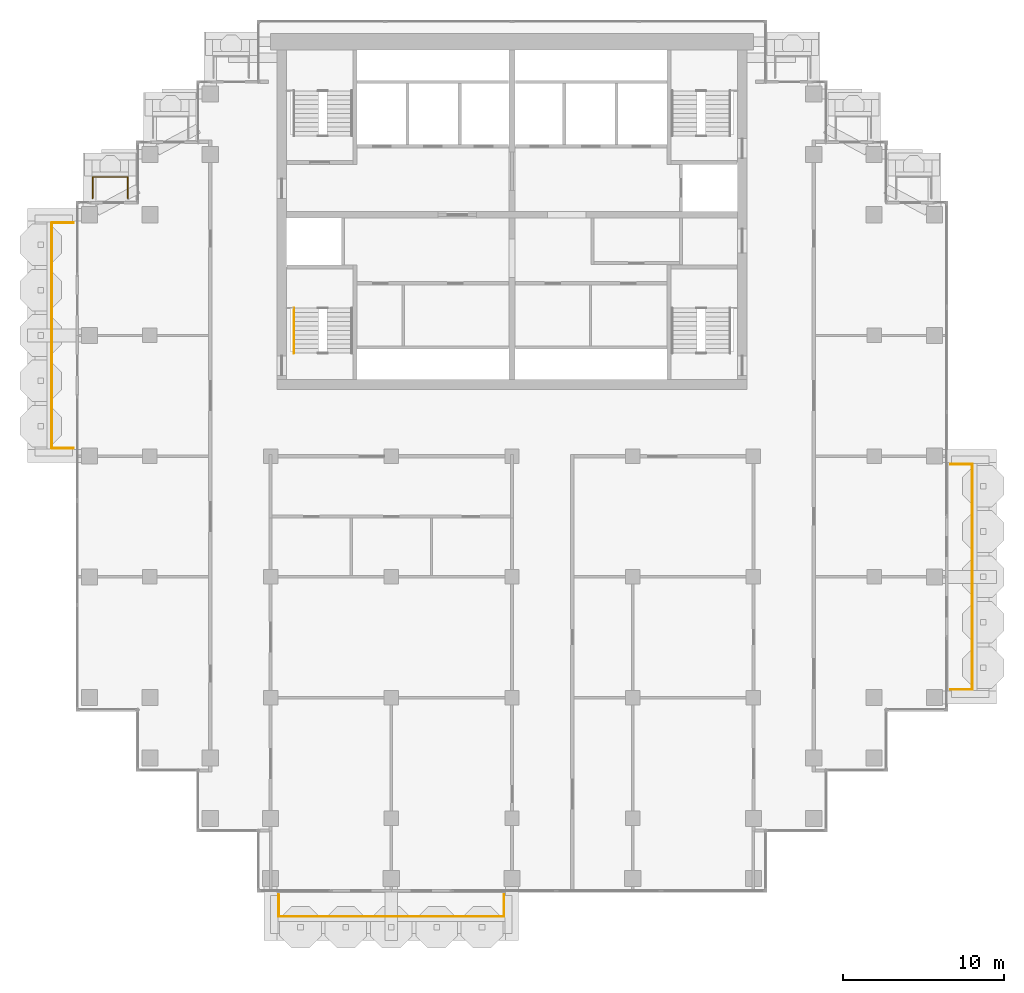
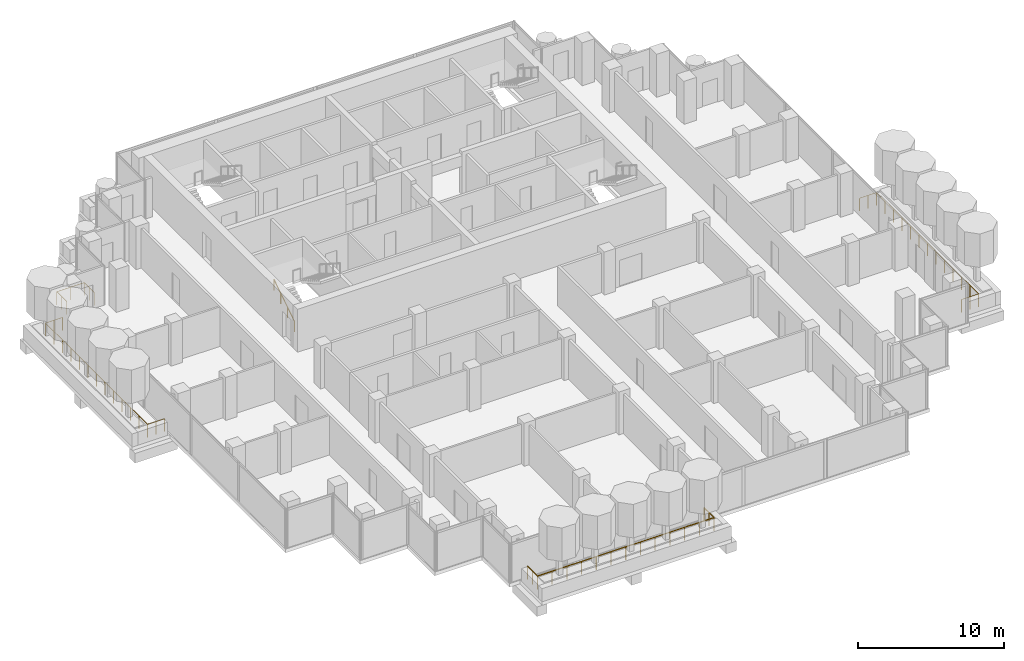
# One storey, part 16 of 18: 5 railings.
"""IFC4 building model written with IfcOpenShell, lengths in metres."""

from ifc_helpers import new_model, si_unit, direction, frame, origin, origin_2d, place, context, subcontext, project, spatial, circle, extrude, material, type_object, element, save


model = new_model("IFC4")

# Units and contexts
model_context = context("Model", 3, precision=1e-05, world=origin(), true_north=direction((0.0, 1.0)))
body_context = subcontext(model_context, "Body", "Model", "MODEL_VIEW")
ifc_project = project(units=[si_unit("LENGTHUNIT", "METRE"), si_unit("AREAUNIT", "SQUARE_METRE"), si_unit("VOLUMEUNIT", "CUBIC_METRE"), si_unit("PLANEANGLEUNIT", "RADIAN"), si_unit("MASSUNIT", "GRAM", prefix="KILO")], contexts=[model_context])

# Site, building, storey
site_placement = place(None, origin())
site = spatial("IfcSite", under=ifc_project, at=site_placement, CompositionType="ELEMENT")
building_placement = place(site_placement, origin())
building = spatial("IfcBuilding", under=site, at=building_placement, Name="Pilkhan Gate Tower", CompositionType="ELEMENT")
storey_placement = place(building_placement, frame((0.0, 0.0, 192.300048828125)))
storey = spatial("IfcBuildingStorey", under=building, at=storey_placement, Name="L49", CompositionType="ELEMENT", Elevation=192.300048828125)

# Railings
ifc_material_1 = material(Name="Pale anodised aluminium posts, laminated glass infill", Category="aluminium")
railing_type_1 = type_object("IfcRailingType", Name="Balcony guard G1", PredefinedType="BALUSTRADE", material=ifc_material_1)
railing_1_placement = place(storey_placement, frame((60.5, 40.25, 0.0)))
element("IfcRailing", 1, at=railing_1_placement, inside=storey, type_object=railing_type_1, Name="Balcony guard L49 S", PredefinedType="BALUSTRADE", context=body_context, shape_type="SweptSolid", body=[
    extrude(circle(Radius=0.02392578125, at=origin_2d()), frame((0.0, 0.0, 1.076171875), z_axis=(0.0, -1.0, 0.0), x_axis=(1.0, 0.0, 0.0)), (0.0, 0.0, 1.0), 1.35009765625),
    extrude(circle(Radius=0.02392578125, at=origin_2d()), frame((0.0, -1.35009765625, 1.076171875), z_axis=(1.0, 0.0, 0.0), x_axis=(0.0, 1.0, 0.0)), (0.0, 0.0, 1.0), 14.0),
    extrude(circle(Radius=0.02392578125, at=origin_2d()), frame((14.0, -1.35009765625, 1.076171875), z_axis=(0.0, 1.0, 0.0), x_axis=(-1.0, 0.0, 0.0)), (0.0, 0.0, 1.0), 1.35009765625),
    extrude(circle(Radius=0.02099609375, at=origin_2d()), origin(), (0.0, 0.0, 1.0), 1.052001953125),
    extrude(circle(Radius=0.02099609375, at=origin_2d()), frame((0.0, -0.675048828125, 0.0)), (0.0, 0.0, 1.0), 1.052001953125),
    extrude(circle(Radius=0.02099609375, at=origin_2d()), frame((0.0, -1.35009765625, 0.0)), (0.0, 0.0, 1.0), 1.052001953125),
    extrude(circle(Radius=0.02099609375, at=origin_2d()), frame((1.166748046875, -1.35009765625, 0.0)), (0.0, 0.0, 1.0), 1.052001953125),
    extrude(circle(Radius=0.02099609375, at=origin_2d()), frame((2.333251953125, -1.35009765625, 0.0)), (0.0, 0.0, 1.0), 1.052001953125),
    extrude(circle(Radius=0.02099609375, at=origin_2d()), frame((3.5, -1.35009765625, 0.0)), (0.0, 0.0, 1.0), 1.052001953125),
    extrude(circle(Radius=0.02099609375, at=origin_2d()), frame((4.666748046875, -1.35009765625, 0.0)), (0.0, 0.0, 1.0), 1.052001953125),
    extrude(circle(Radius=0.02099609375, at=origin_2d()), frame((5.833251953125, -1.35009765625, 0.0)), (0.0, 0.0, 1.0), 1.052001953125),
    extrude(circle(Radius=0.02099609375, at=origin_2d()), frame((7.0, -1.35009765625, 0.0)), (0.0, 0.0, 1.0), 1.052001953125),
    extrude(circle(Radius=0.02099609375, at=origin_2d()), frame((8.166748046875, -1.35009765625, 0.0)), (0.0, 0.0, 1.0), 1.052001953125),
    extrude(circle(Radius=0.02099609375, at=origin_2d()), frame((9.333251953125, -1.35009765625, 0.0)), (0.0, 0.0, 1.0), 1.052001953125),
    extrude(circle(Radius=0.02099609375, at=origin_2d()), frame((10.5, -1.35009765625, 0.0)), (0.0, 0.0, 1.0), 1.052001953125),
    extrude(circle(Radius=0.02099609375, at=origin_2d()), frame((11.666748046875, -1.35009765625, 0.0)), (0.0, 0.0, 1.0), 1.052001953125),
    extrude(circle(Radius=0.02099609375, at=origin_2d()), frame((12.833251953125, -1.35009765625, 0.0)), (0.0, 0.0, 1.0), 1.052001953125),
    extrude(circle(Radius=0.02099609375, at=origin_2d()), frame((14.0, -1.35009765625, 0.0)), (0.0, 0.0, 1.0), 1.052001953125),
    extrude(circle(Radius=0.02099609375, at=origin_2d()), frame((14.0, -0.675048828125, 0.0)), (0.0, 0.0, 1.0), 1.052001953125),
    extrude(circle(Radius=0.02099609375, at=origin_2d()), frame((14.0, 0.0, 0.0)), (0.0, 0.0, 1.0), 1.052001953125),
])
railing_2_placement = place(storey_placement, frame((102.25, 53.0, 0.0)))
element("IfcRailing", 2, at=railing_2_placement, inside=storey, type_object=railing_type_1, Name="Balcony guard L49 E", PredefinedType="BALUSTRADE", context=body_context, shape_type="SweptSolid", body=[
    extrude(circle(Radius=0.02392578125, at=origin_2d()), frame((0.0, 0.0, 1.076171875), z_axis=(1.0, 0.0, 0.0), x_axis=(0.0, 1.0, 0.0)), (0.0, 0.0, 1.0), 1.35009765625),
    extrude(circle(Radius=0.02392578125, at=origin_2d()), frame((1.35009765625, 0.0, 1.076171875), z_axis=(0.0, 1.0, 0.0), x_axis=(-1.0, 0.0, 0.0)), (0.0, 0.0, 1.0), 14.0),
    extrude(circle(Radius=0.02392578125, at=origin_2d()), frame((1.35009765625, 14.0, 1.076171875), z_axis=(-1.0, 0.0, 0.0), x_axis=(0.0, -1.0, 0.0)), (0.0, 0.0, 1.0), 1.35009765625),
    extrude(circle(Radius=0.02099609375, at=origin_2d()), origin(), (0.0, 0.0, 1.0), 1.052001953125),
    extrude(circle(Radius=0.02099609375, at=origin_2d()), frame((0.675048828125, 0.0, 0.0)), (0.0, 0.0, 1.0), 1.052001953125),
    extrude(circle(Radius=0.02099609375, at=origin_2d()), frame((1.35009765625, 0.0, 0.0)), (0.0, 0.0, 1.0), 1.052001953125),
    extrude(circle(Radius=0.02099609375, at=origin_2d()), frame((1.35009765625, 1.166748046875, 0.0)), (0.0, 0.0, 1.0), 1.052001953125),
    extrude(circle(Radius=0.02099609375, at=origin_2d()), frame((1.35009765625, 2.333251953125, 0.0)), (0.0, 0.0, 1.0), 1.052001953125),
    extrude(circle(Radius=0.02099609375, at=origin_2d()), frame((1.35009765625, 3.5, 0.0)), (0.0, 0.0, 1.0), 1.052001953125),
    extrude(circle(Radius=0.02099609375, at=origin_2d()), frame((1.35009765625, 4.666748046875, 0.0)), (0.0, 0.0, 1.0), 1.052001953125),
    extrude(circle(Radius=0.02099609375, at=origin_2d()), frame((1.35009765625, 5.833251953125, 0.0)), (0.0, 0.0, 1.0), 1.052001953125),
    extrude(circle(Radius=0.02099609375, at=origin_2d()), frame((1.35009765625, 7.0, 0.0)), (0.0, 0.0, 1.0), 1.052001953125),
    extrude(circle(Radius=0.02099609375, at=origin_2d()), frame((1.35009765625, 8.166748046875, 0.0)), (0.0, 0.0, 1.0), 1.052001953125),
    extrude(circle(Radius=0.02099609375, at=origin_2d()), frame((1.35009765625, 9.333251953125, 0.0)), (0.0, 0.0, 1.0), 1.052001953125),
    extrude(circle(Radius=0.02099609375, at=origin_2d()), frame((1.35009765625, 10.5, 0.0)), (0.0, 0.0, 1.0), 1.052001953125),
    extrude(circle(Radius=0.02099609375, at=origin_2d()), frame((1.35009765625, 11.666748046875, 0.0)), (0.0, 0.0, 1.0), 1.052001953125),
    extrude(circle(Radius=0.02099609375, at=origin_2d()), frame((1.35009765625, 12.833251953125, 0.0)), (0.0, 0.0, 1.0), 1.052001953125),
    extrude(circle(Radius=0.02099609375, at=origin_2d()), frame((1.35009765625, 14.0, 0.0)), (0.0, 0.0, 1.0), 1.052001953125),
    extrude(circle(Radius=0.02099609375, at=origin_2d()), frame((0.675048828125, 14.0, 0.0)), (0.0, 0.0, 1.0), 1.052001953125),
    extrude(circle(Radius=0.02099609375, at=origin_2d()), frame((0.0, 14.0, 0.0)), (0.0, 0.0, 1.0), 1.052001953125),
])
railing_3_placement = place(storey_placement, frame((48.949951171875, 83.52001953125, 0.0)))
element("IfcRailing", 3, at=railing_3_placement, inside=storey, type_object=railing_type_1, Name="Balcony guard L49 N", PredefinedType="BALUSTRADE", context=body_context, shape_type="SweptSolid", body=[
    extrude(circle(Radius=0.02392578125, at=origin_2d()), frame((0.0, 0.0, 1.076171875), z_axis=(0.0, 1.0, 0.0), x_axis=(-1.0, 0.0, 0.0)), (0.0, 0.0, 1.0), 1.330078125),
    extrude(circle(Radius=0.02392578125, at=origin_2d()), frame((0.0, 1.330078125, 1.076171875), z_axis=(1.0, 0.0, 0.0), x_axis=(0.0, 1.0, 0.0)), (0.0, 0.0, 1.0), 2.179931640625),
    extrude(circle(Radius=0.02392578125, at=origin_2d()), frame((2.179931640625, 1.330078125, 1.076171875), z_axis=(0.0, -1.0, 0.0), x_axis=(1.0, 0.0, 0.0)), (0.0, 0.0, 1.0), 1.330078125),
    extrude(circle(Radius=0.02099609375, at=origin_2d()), origin(), (0.0, 0.0, 1.0), 1.052001953125),
    extrude(circle(Radius=0.02099609375, at=origin_2d()), frame((0.0, 0.6650390625, 0.0)), (0.0, 0.0, 1.0), 1.052001953125),
    extrude(circle(Radius=0.02099609375, at=origin_2d()), frame((0.0, 1.330078125, 0.0)), (0.0, 0.0, 1.0), 1.052001953125),
    extrude(circle(Radius=0.02099609375, at=origin_2d()), frame((1.08984375, 1.330078125, 0.0)), (0.0, 0.0, 1.0), 1.052001953125),
    extrude(circle(Radius=0.02099609375, at=origin_2d()), frame((2.179931640625, 1.330078125, 0.0)), (0.0, 0.0, 1.0), 1.052001953125),
    extrude(circle(Radius=0.02099609375, at=origin_2d()), frame((2.179931640625, 0.6650390625, 0.0)), (0.0, 0.0, 1.0), 1.052001953125),
    extrude(circle(Radius=0.02099609375, at=origin_2d()), frame((2.179931640625, 0.0, 0.0)), (0.0, 0.0, 1.0), 1.052001953125),
])
railing_4_placement = place(storey_placement, frame((47.75, 68.0, 0.0)))
element("IfcRailing", 4, at=railing_4_placement, inside=storey, type_object=railing_type_1, Name="Balcony guard L49 W", PredefinedType="BALUSTRADE", context=body_context, shape_type="SweptSolid", body=[
    extrude(circle(Radius=0.02392578125, at=origin_2d()), frame((0.0, 0.0, 1.076171875), z_axis=(-1.0, 0.0, 0.0), x_axis=(0.0, -1.0, 0.0)), (0.0, 0.0, 1.0), 1.35009765625),
    extrude(circle(Radius=0.02392578125, at=origin_2d()), frame((-1.35009765625, 0.0, 1.076171875), z_axis=(0.0, 1.0, 0.0), x_axis=(-1.0, 0.0, 0.0)), (0.0, 0.0, 1.0), 14.0),
    extrude(circle(Radius=0.02392578125, at=origin_2d()), frame((-1.35009765625, 14.0, 1.076171875), z_axis=(1.0, 0.0, 0.0), x_axis=(0.0, 1.0, 0.0)), (0.0, 0.0, 1.0), 1.35009765625),
    extrude(circle(Radius=0.02099609375, at=origin_2d()), origin(), (0.0, 0.0, 1.0), 1.052001953125),
    extrude(circle(Radius=0.02099609375, at=origin_2d()), frame((-0.675048828125, 0.0, 0.0)), (0.0, 0.0, 1.0), 1.052001953125),
    extrude(circle(Radius=0.02099609375, at=origin_2d()), frame((-1.35009765625, 0.0, 0.0)), (0.0, 0.0, 1.0), 1.052001953125),
    extrude(circle(Radius=0.02099609375, at=origin_2d()), frame((-1.35009765625, 1.166748046875, 0.0)), (0.0, 0.0, 1.0), 1.052001953125),
    extrude(circle(Radius=0.02099609375, at=origin_2d()), frame((-1.35009765625, 2.333251953125, 0.0)), (0.0, 0.0, 1.0), 1.052001953125),
    extrude(circle(Radius=0.02099609375, at=origin_2d()), frame((-1.35009765625, 3.5, 0.0)), (0.0, 0.0, 1.0), 1.052001953125),
    extrude(circle(Radius=0.02099609375, at=origin_2d()), frame((-1.35009765625, 4.666748046875, 0.0)), (0.0, 0.0, 1.0), 1.052001953125),
    extrude(circle(Radius=0.02099609375, at=origin_2d()), frame((-1.35009765625, 5.833251953125, 0.0)), (0.0, 0.0, 1.0), 1.052001953125),
    extrude(circle(Radius=0.02099609375, at=origin_2d()), frame((-1.35009765625, 7.0, 0.0)), (0.0, 0.0, 1.0), 1.052001953125),
    extrude(circle(Radius=0.02099609375, at=origin_2d()), frame((-1.35009765625, 8.166748046875, 0.0)), (0.0, 0.0, 1.0), 1.052001953125),
    extrude(circle(Radius=0.02099609375, at=origin_2d()), frame((-1.35009765625, 9.333251953125, 0.0)), (0.0, 0.0, 1.0), 1.052001953125),
    extrude(circle(Radius=0.02099609375, at=origin_2d()), frame((-1.35009765625, 10.5, 0.0)), (0.0, 0.0, 1.0), 1.052001953125),
    extrude(circle(Radius=0.02099609375, at=origin_2d()), frame((-1.35009765625, 11.666748046875, 0.0)), (0.0, 0.0, 1.0), 1.052001953125),
    extrude(circle(Radius=0.02099609375, at=origin_2d()), frame((-1.35009765625, 12.833251953125, 0.0)), (0.0, 0.0, 1.0), 1.052001953125),
    extrude(circle(Radius=0.02099609375, at=origin_2d()), frame((-1.35009765625, 14.0, 0.0)), (0.0, 0.0, 1.0), 1.052001953125),
    extrude(circle(Radius=0.02099609375, at=origin_2d()), frame((-0.675048828125, 14.0, 0.0)), (0.0, 0.0, 1.0), 1.052001953125),
    extrude(circle(Radius=0.02099609375, at=origin_2d()), frame((0.0, 14.0, 0.0)), (0.0, 0.0, 1.0), 1.052001953125),
])
ifc_material_2 = material(Name="Black powder-coated steel tube", Category="steel")
railing_type_2 = type_object("IfcRailingType", Name="Stair handrail HR1", PredefinedType="HANDRAIL", material=ifc_material_2)
railing_5_placement = place(storey_placement, frame((61.449951171875, 73.89990234375, 0.0)))
element("IfcRailing", 5, at=railing_5_placement, inside=storey, type_object=railing_type_2, Name="Stair ST2 handrail L49", PredefinedType="HANDRAIL", context=body_context, shape_type="SweptSolid", body=[
    extrude(circle(Radius=0.02392578125, at=origin_2d()), frame((0.0, 0.0, 0.8759765625), z_axis=(0.0, 0.841176092368, 0.540761298198), x_axis=(-1.0, 0.0, 0.0)), (0.0, 0.0, 1.0), 3.32861328125),
    extrude(circle(Radius=0.02099609375, at=origin_2d()), origin(), (0.0, 0.0, 1.0), 0.851806640625),
    extrude(circle(Radius=0.02099609375, at=origin_2d()), frame((0.0, 0.933349609375, 0.60009765625)), (0.0, 0.0, 1.0), 0.851806640625),
    extrude(circle(Radius=0.02099609375, at=origin_2d()), frame((0.0, 1.86669921875, 1.199951171875)), (0.0, 0.0, 1.0), 0.851806640625),
    extrude(circle(Radius=0.02099609375, at=origin_2d()), frame((0.0, 2.800048828125, 1.800048828125)), (0.0, 0.0, 1.0), 0.851806640625),
])

save(model, "model.ifc")
